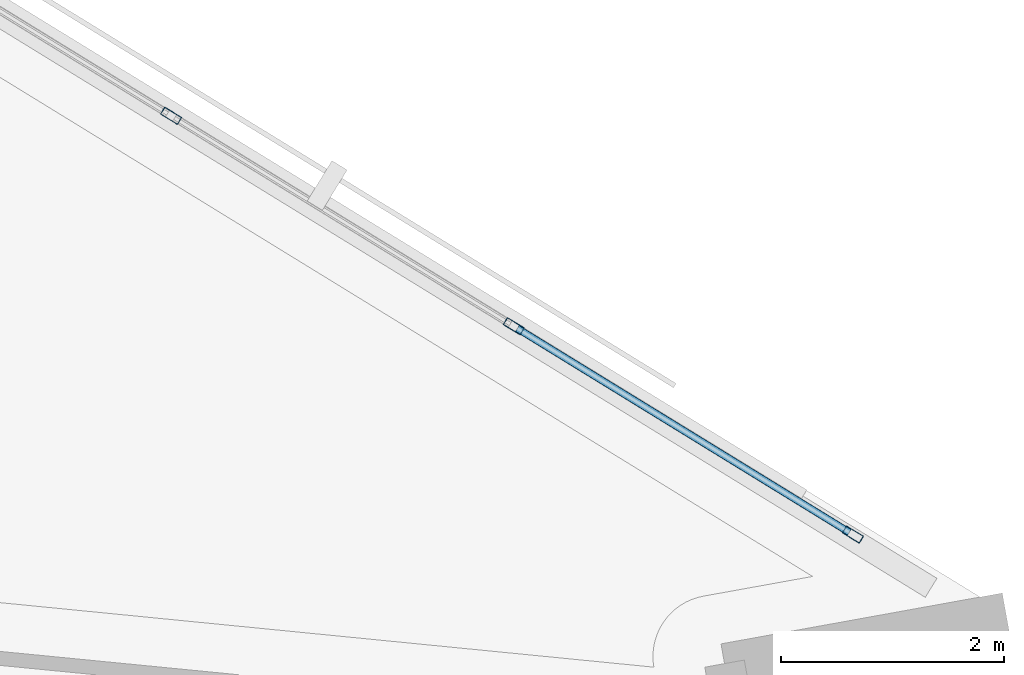
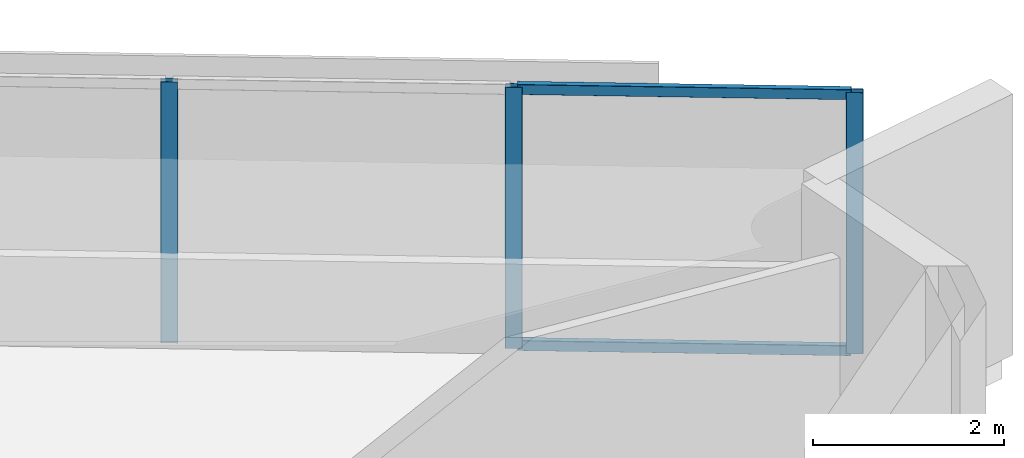
# One storey, part 4 of 18: 5 members, 1 element without a shape of its own.
"""IFC4 building model written with IfcOpenShell, lengths in metres."""

from ifc_helpers import new_model, si_unit, direction, frame, origin, origin_2d, place, context, subcontext, project, spatial, hollow_rectangle, extrude, material, material_profile, profile_set, type_object, element, aggregate, save


model = new_model("IFC4")

# Units and contexts
model_context = context("Model", 3, precision=1e-05, world=origin(), true_north=direction((0.0, 1.0)))
body_context = subcontext(model_context, "Body", "Model", "MODEL_VIEW")
ifc_project = project(units=[si_unit("LENGTHUNIT", "METRE"), si_unit("AREAUNIT", "SQUARE_METRE"), si_unit("VOLUMEUNIT", "CUBIC_METRE"), si_unit("PLANEANGLEUNIT", "RADIAN"), si_unit("MASSUNIT", "GRAM", prefix="KILO")], contexts=[model_context])

# Site, building, storey
site_placement = place(None, origin())
site = spatial("IfcSite", under=ifc_project, at=site_placement, CompositionType="ELEMENT")
building_placement = place(site_placement, origin())
building = spatial("IfcBuilding", under=site, at=building_placement, Name="Narakoshi Arena Tower", CompositionType="ELEMENT")
storey_placement = place(building_placement, frame((0.0, 0.0, 95.699951171875)))
storey = spatial("IfcBuildingStorey", under=building, at=storey_placement, Name="L25", CompositionType="ELEMENT", Elevation=95.699951171875)

# Curtain wall, members
ifc_material = material(Name="Anodised bronze aluminium 6063-T6", Category="aluminium")
curtain_wall_type = type_object("IfcCurtainWallType", Name="CW-HYP-LOW", PredefinedType="NOTDEFINED", material=ifc_material)
curtain_wall_placement = place(storey_placement, origin())
curtain_wall = element("IfcCurtainWall", 1, at=curtain_wall_placement, inside=storey, type_object=curtain_wall_type, Name="L25 Folded Hypotenuse Curtain Wall 1-1", PredefinedType="NOTDEFINED")
ifc_material_profile_1 = material_profile(ifc_material, hollow_rectangle(XDim=0.074951171875, YDim=0.179931640625, WallThickness=0.00390625, OuterFilletRadius=0.0048828125, at=origin_2d()), Name="MUL180x75x4")
ifc_profile_set_1 = profile_set([ifc_material_profile_1], Name="Anodised bronze aluminium 6063-T6")
member_type_1 = type_object("IfcMemberType", Name="MEM-MUL-180", PredefinedType="MULLION", material=ifc_profile_set_1)
member_1_placement = place(storey_placement, frame((119.16259765625, 43.548583984375, 0.0), z_axis=(0.0, 0.0, 1.0), x_axis=(-0.523357676535, -0.852113104237, 0.0)))
member_1 = element("IfcMember", 2, at=member_1_placement, type_object=member_type_1, Name="CW-01 mullion 1", PredefinedType="MULLION", context=body_context, shape_type="SweptSolid", body=[
    extrude(hollow_rectangle(XDim=0.074951171875, YDim=0.179931640625, WallThickness=0.00390625, OuterFilletRadius=0.0048828125, at=origin_2d()), origin(), (0.0, 0.0, 1.0), 3.340087890625),
])
member_2_placement = place(storey_placement, frame((116.11767578125, 45.418701171875, 0.0), z_axis=(0.0, 0.0, 1.0), x_axis=(-0.523357676535, -0.852113104237, 0.0)))
member_2 = element("IfcMember", 3, at=member_2_placement, type_object=member_type_1, Name="CW-01 mullion 2", PredefinedType="MULLION", context=body_context, shape_type="SweptSolid", body=[
    extrude(hollow_rectangle(XDim=0.074951171875, YDim=0.179931640625, WallThickness=0.00390625, OuterFilletRadius=0.0048828125, at=origin_2d()), origin(), (0.0, 0.0, 1.0), 3.340087890625),
])
member_3_placement = place(storey_placement, frame((113.040771484375, 47.30859375, 0.0), z_axis=(0.0, 0.0, 1.0), x_axis=(-0.523357676535, -0.852113104237, 0.0)))
member_3 = element("IfcMember", 4, at=member_3_placement, type_object=member_type_1, Name="CW-01 mullion 3", PredefinedType="MULLION", context=body_context, shape_type="SweptSolid", body=[
    extrude(hollow_rectangle(XDim=0.074951171875, YDim=0.179931640625, WallThickness=0.00390625, OuterFilletRadius=0.0048828125, at=origin_2d()), origin(), (0.0, 0.0, 1.0), 3.340087890625),
])
ifc_material_profile_2 = material_profile(ifc_material, hollow_rectangle(XDim=0.06494140625, YDim=0.1298828125, WallThickness=0.00390625, OuterFilletRadius=0.0048828125, at=origin_2d()), Name="TRN130x65x4")
ifc_profile_set_2 = profile_set([ifc_material_profile_2], Name="Anodised bronze aluminium 6063-T6")
member_type_2 = type_object("IfcMemberType", Name="MEM-TRN-130", PredefinedType="USERDEFINED", material=ifc_profile_set_2)
member_4_placement = place(storey_placement, frame((119.130615234375, 43.568359375, 0.032470703125), z_axis=(-0.852120447829, 0.52334571976, 0.0), x_axis=(-0.52334571976, -0.852120447829, 0.0)))
member_4 = element("IfcMember", 5, at=member_4_placement, type_object=member_type_2, Name="CW-01 transom 1.1", ObjectType="TRANSOM", PredefinedType="USERDEFINED", context=body_context, shape_type="SweptSolid", body=[
    extrude(hollow_rectangle(XDim=0.06494140625, YDim=0.1298828125, WallThickness=0.00390625, OuterFilletRadius=0.0048828125, at=origin_2d()), origin(), (0.0, 0.0, 1.0), 3.498291015625),
])
member_5_placement = place(storey_placement, frame((119.130615234375, 43.568359375, 3.3076171875), z_axis=(-0.852120447829, 0.52334571976, 0.0), x_axis=(-0.52334571976, -0.852120447829, 0.0)))
member_5 = element("IfcMember", 6, at=member_5_placement, type_object=member_type_2, Name="CW-01 transom 1.2", ObjectType="TRANSOM", PredefinedType="USERDEFINED", context=body_context, shape_type="SweptSolid", body=[
    extrude(hollow_rectangle(XDim=0.06494140625, YDim=0.1298828125, WallThickness=0.00390625, OuterFilletRadius=0.0048828125, at=origin_2d()), origin(), (0.0, 0.0, 1.0), 3.498291015625),
])
aggregate(curtain_wall, [member_1, member_2, member_3, member_4, member_5])

save(model, "model.ifc")
